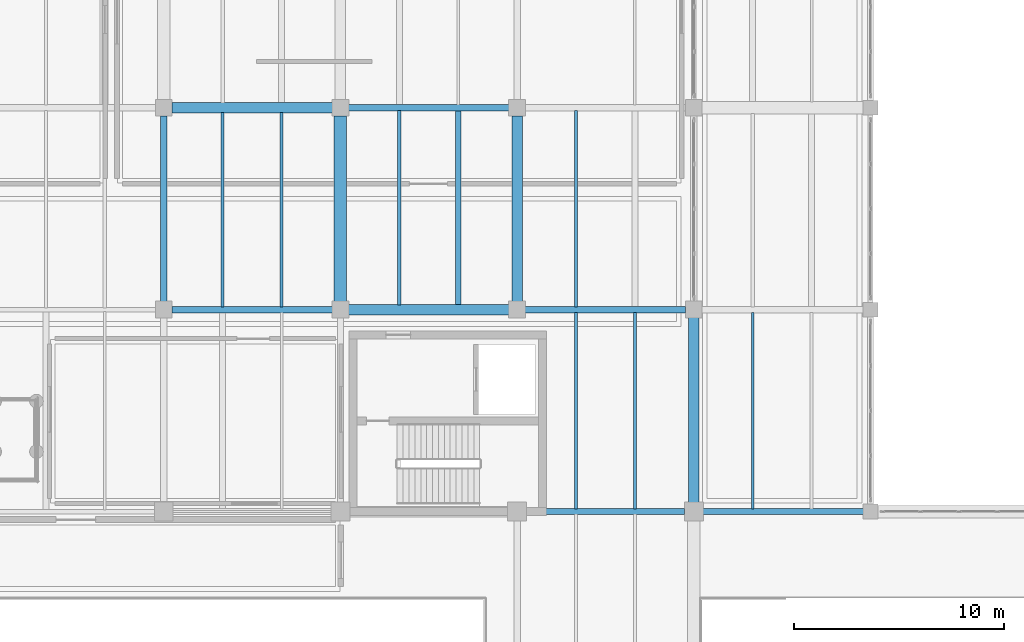
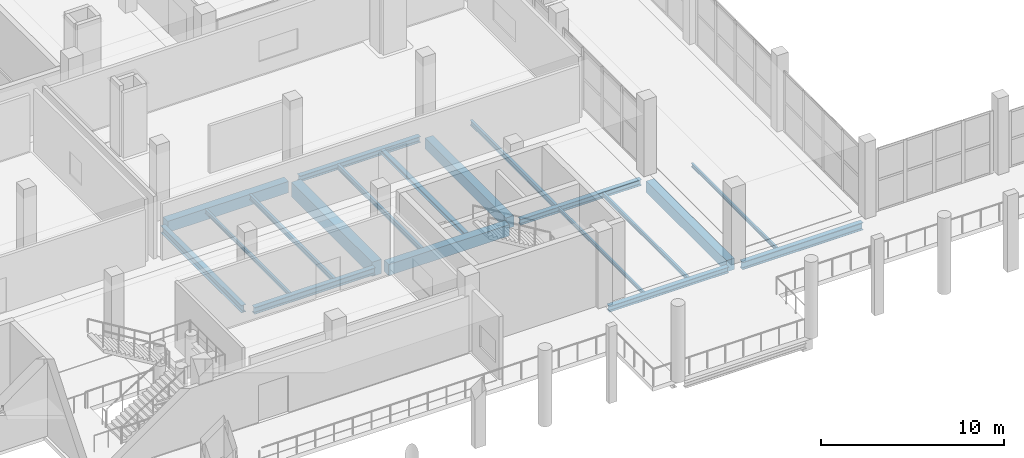
# One storey, part 3 of 66: 19 beams.
"""IFC4 building model written with IfcOpenShell, lengths in metres."""

from ifc_helpers import new_model, si_unit, direction, frame, origin, origin_2d, place, context, subcontext, project, spatial, rectangle, i_section, extrude, material, material_profile, profile_set, type_object, element, save


model = new_model("IFC4")

# Units and contexts
model_context = context("Model", 3, precision=1e-05, world=origin(), true_north=direction((0.0, 1.0)))
body_context = subcontext(model_context, "Body", "Model", "MODEL_VIEW")
ifc_project = project(units=[si_unit("LENGTHUNIT", "METRE"), si_unit("AREAUNIT", "SQUARE_METRE"), si_unit("VOLUMEUNIT", "CUBIC_METRE"), si_unit("PLANEANGLEUNIT", "RADIAN"), si_unit("MASSUNIT", "GRAM", prefix="KILO")], contexts=[model_context])

# Site, building, storey
site_placement = place(None, origin())
site = spatial("IfcSite", under=ifc_project, at=site_placement, CompositionType="ELEMENT")
building_placement = place(site_placement, origin())
building = spatial("IfcBuilding", under=site, at=building_placement, Name="Zulmaris Art Gallery", CompositionType="ELEMENT")
storey_placement = place(building_placement, frame((0.0, 0.0, 5.39990234375)))
storey = spatial("IfcBuildingStorey", under=building, at=storey_placement, Name="L01", CompositionType="ELEMENT", Elevation=5.39990234375)

# Beams
ifc_material_1 = material(Name="Steel S355J2", Category="steel")
ifc_material_profile_1 = material_profile(ifc_material_1, i_section(OverallWidth=0.300048828125, OverallDepth=0.389892578125, WebThickness=0.010986328125, FlangeThickness=0.01904296875, FilletRadius=0.027099609375, at=origin_2d()), Name="HEA 400")
ifc_profile_set_1 = profile_set([ifc_material_profile_1], Name="Steel S355J2")
beam_type_1 = type_object("IfcBeamType", Name="BEAM-BM09", PredefinedType="BEAM", material=ifc_profile_set_1)
beam_1_placement = place(storey_placement, frame((74.8349609375, 21.60009765625, -0.52490234375), z_axis=(1.0, 0.0, 0.0), x_axis=(0.0, 1.0, 0.0)))
element("IfcBeam", 1, at=beam_1_placement, inside=storey, type_object=beam_type_1, Name="L01 X-girder (74.4..82.8, y=21.6)", PredefinedType="BEAM", context=body_context, shape_type="SweptSolid", body=[
    extrude(i_section(OverallWidth=0.300048828125, OverallDepth=0.389892578125, WebThickness=0.010986328125, FlangeThickness=0.01904296875, FilletRadius=0.027099609375, at=origin_2d()), origin(), (0.0, 0.0, 1.0), 7.530029296875),
])
beam_2_placement = place(storey_placement, frame((74.784912109375, 31.199951171875, -0.52490234375), z_axis=(1.0, 0.0, 0.0), x_axis=(0.0, 1.0, 0.0)))
element("IfcBeam", 2, at=beam_2_placement, inside=storey, type_object=beam_type_1, Name="L01 X-girder (74.4..82.8, y=31.2)", PredefinedType="BEAM", context=body_context, shape_type="SweptSolid", body=[
    extrude(i_section(OverallWidth=0.300048828125, OverallDepth=0.389892578125, WebThickness=0.010986328125, FlangeThickness=0.01904296875, FilletRadius=0.027099609375, at=origin_2d()), origin(), (0.0, 0.0, 1.0), 7.630126953125),
])
beam_3_placement = place(storey_placement, frame((66.385009765625, 40.800048828125, -0.52490234375), z_axis=(1.0, 0.0, 0.0), x_axis=(0.0, 1.0, 0.0)))
element("IfcBeam", 3, at=beam_3_placement, inside=storey, type_object=beam_type_1, Name="L01 X-girder (66.0..74.4, y=40.8)", PredefinedType="BEAM", context=body_context, shape_type="SweptSolid", body=[
    extrude(i_section(OverallWidth=0.300048828125, OverallDepth=0.389892578125, WebThickness=0.010986328125, FlangeThickness=0.01904296875, FilletRadius=0.027099609375, at=origin_2d()), origin(), (0.0, 0.0, 1.0), 7.6298828125),
])
ifc_material_profile_2 = material_profile(ifc_material_1, i_section(OverallWidth=0.300048828125, OverallDepth=0.449951171875, WebThickness=0.013916015625, FlangeThickness=0.02587890625, FilletRadius=0.027099609375, at=origin_2d()), Name="HEB 450")
ifc_profile_set_2 = profile_set([ifc_material_profile_2], Name="Steel S355J2")
beam_type_2 = type_object("IfcBeamType", Name="BEAM-BM13", PredefinedType="BEAM", material=ifc_profile_set_2)
beam_4_placement = place(storey_placement, frame((57.985107421875, 31.199951171875, -0.554931640625), z_axis=(1.0, 0.0, 0.0), x_axis=(0.0, 1.0, 0.0)))
element("IfcBeam", 4, at=beam_4_placement, inside=storey, type_object=beam_type_2, Name="L01 X-girder (57.6..66.0, y=31.2)", PredefinedType="BEAM", context=body_context, shape_type="SweptSolid", body=[
    extrude(i_section(OverallWidth=0.300048828125, OverallDepth=0.449951171875, WebThickness=0.013916015625, FlangeThickness=0.02587890625, FilletRadius=0.027099609375, at=origin_2d()), origin(), (0.0, 0.0, 1.0), 7.6298828125),
])
ifc_material_profile_3 = material_profile(ifc_material_1, i_section(OverallWidth=0.300048828125, OverallDepth=0.5, WebThickness=0.014404296875, FlangeThickness=0.028076171875, FilletRadius=0.027099609375, at=origin_2d()), Name="HEB 500")
ifc_profile_set_3 = profile_set([ifc_material_profile_3], Name="Steel S355J2")
beam_type_3 = type_object("IfcBeamType", Name="BEAM-BM14", PredefinedType="BEAM", material=ifc_profile_set_3)
beam_5_placement = place(storey_placement, frame((83.235107421875, 21.60009765625, -0.579833984375), z_axis=(1.0, 0.0, 0.0), x_axis=(0.0, 1.0, 0.0)))
element("IfcBeam", 5, at=beam_5_placement, inside=storey, type_object=beam_type_3, Name="L01 X-girder (82.8..91.2, y=21.6)", PredefinedType="BEAM", context=body_context, shape_type="SweptSolid", body=[
    extrude(i_section(OverallWidth=0.300048828125, OverallDepth=0.5, WebThickness=0.014404296875, FlangeThickness=0.028076171875, FilletRadius=0.027099609375, at=origin_2d()), origin(), (0.0, 0.0, 1.0), 7.6298828125),
])
beam_6_placement = place(storey_placement, frame((57.60009765625, 31.5849609375, -0.579833984375), z_axis=(0.0, 1.0, 0.0), x_axis=(-1.0, 0.0, 0.0)))
element("IfcBeam", 6, at=beam_6_placement, inside=storey, type_object=beam_type_3, Name="L01 Y-girder (x=57.6, 31.2..40.8)", PredefinedType="BEAM", context=body_context, shape_type="SweptSolid", body=[
    extrude(i_section(OverallWidth=0.300048828125, OverallDepth=0.5, WebThickness=0.014404296875, FlangeThickness=0.028076171875, FilletRadius=0.027099609375, at=origin_2d()), origin(), (0.0, 0.0, 1.0), 8.830078125),
])
ifc_material_2 = material(Name="Concrete C40/50", Category="concrete")
ifc_material_profile_4 = material_profile(ifc_material_2, rectangle(XDim=0.5, YDim=0.75, at=origin_2d()), Name="RC 500x750")
ifc_profile_set_4 = profile_set([ifc_material_profile_4], Name="Concrete C40/50")
beam_type_4 = type_object("IfcBeamType", Name="BEAM-BM20", PredefinedType="BEAM", material=ifc_profile_set_4)
for number, where, z_axis, x_axis, name in (
    (7, (66.385009765625, 31.199951171875, -0.704833984375), (1.0, 0.0, 0.0), (0.0, 1.0, 0.0), "L01 X-girder (66.0..74.4, y=31.2)"),
    (8, (57.985107421875, 40.800048828125, -0.704833984375), (1.0, 0.0, 0.0), (0.0, 1.0, 0.0), "L01 X-girder (57.6..66.0, y=40.8)"),
):
    element("IfcBeam", number, at=place(storey_placement, frame(where, z_axis=z_axis, x_axis=x_axis)), inside=storey, type_object=beam_type_4, Name=name, PredefinedType="BEAM", context=body_context, shape_type="SweptSolid", body=[
        extrude(rectangle(XDim=0.5, YDim=0.75, at=origin_2d()), origin(), (0.0, 0.0, 1.0), 7.6298828125),
    ])
beam_7_placement = place(storey_placement, frame((74.39990234375, 31.5849609375, -0.704833984375), z_axis=(0.0, 1.0, 0.0), x_axis=(-1.0, 0.0, 0.0)))
element("IfcBeam", 9, at=beam_7_placement, inside=storey, type_object=beam_type_4, Name="L01 Y-girder (x=74.4, 31.2..40.8)", PredefinedType="BEAM", context=body_context, shape_type="SweptSolid", body=[
    extrude(rectangle(XDim=0.5, YDim=0.75, at=origin_2d()), origin(), (0.0, 0.0, 1.0), 8.830078125),
])
beam_8_placement = place(storey_placement, frame((82.800048828125, 22.034912109375, -0.704833984375), z_axis=(0.0, 1.0, 0.0), x_axis=(-1.0, 0.0, 0.0)))
element("IfcBeam", 10, at=beam_8_placement, inside=storey, type_object=beam_type_4, Name="L01 Y-girder (x=82.8, 21.6..31.2)", PredefinedType="BEAM", context=body_context, shape_type="SweptSolid", body=[
    extrude(rectangle(XDim=0.5, YDim=0.75, at=origin_2d()), origin(), (0.0, 0.0, 1.0), 8.780029296875),
])
ifc_material_profile_5 = material_profile(ifc_material_2, rectangle(XDim=0.60009765625, YDim=0.949951171875, at=origin_2d()), Name="RC 600x950")
ifc_profile_set_5 = profile_set([ifc_material_profile_5], Name="Concrete C40/50")
beam_type_5 = type_object("IfcBeamType", Name="BEAM-BM22", PredefinedType="BEAM", material=ifc_profile_set_5)
beam_9_placement = place(storey_placement, frame((66.0, 31.5849609375, -0.804931640625), z_axis=(0.0, 1.0, 0.0), x_axis=(-1.0, 0.0, 0.0)))
element("IfcBeam", 11, at=beam_9_placement, inside=storey, type_object=beam_type_5, Name="L01 Y-girder (x=66.0, 31.2..40.8)", PredefinedType="BEAM", context=body_context, shape_type="SweptSolid", body=[
    extrude(rectangle(XDim=0.60009765625, YDim=0.949951171875, at=origin_2d()), origin(), (0.0, 0.0, 1.0), 8.830078125),
])
ifc_material_profile_6 = material_profile(ifc_material_1, i_section(OverallWidth=0.1201171875, OverallDepth=0.239990234375, WebThickness=0.006103515625, FlangeThickness=0.009765625, FilletRadius=0.014892578125, at=origin_2d()), Name="IPE 240")
ifc_profile_set_6 = profile_set([ifc_material_profile_6], Name="Steel S355J2")
beam_type_6 = type_object("IfcBeamType", Name="BEAM-JS01", PredefinedType="JOIST", material=ifc_profile_set_6)
for number, where, z_axis, x_axis, name in (
    (12, (77.199951171875, 21.72509765625, -0.449951171875), (0.0, 1.0, 0.0), (-1.0, 0.0, 0.0), "L01 secondary joist at x=77.2"),
    (13, (85.60009765625, 21.72509765625, -0.449951171875), (0.0, 1.0, 0.0), (-1.0, 0.0, 0.0), "L01 secondary joist at x=85.6"),
):
    element("IfcBeam", number, at=place(storey_placement, frame(where, z_axis=z_axis, x_axis=x_axis)), inside=storey, type_object=beam_type_6, Name=name, PredefinedType="JOIST", context=body_context, shape_type="SweptSolid", body=[
        extrude(i_section(OverallWidth=0.1201171875, OverallDepth=0.239990234375, WebThickness=0.006103515625, FlangeThickness=0.009765625, FilletRadius=0.014892578125, at=origin_2d()), origin(), (0.0, 0.0, 1.0), 9.349853515625),
    ])
ifc_material_profile_7 = material_profile(ifc_material_1, i_section(OverallWidth=0.135009765625, OverallDepth=0.27001953125, WebThickness=0.006591796875, FlangeThickness=0.01025390625, FilletRadius=0.014892578125, at=origin_2d()), Name="IPE 270")
ifc_profile_set_7 = profile_set([ifc_material_profile_7], Name="Steel S355J2")
beam_type_7 = type_object("IfcBeamType", Name="BEAM-JS02", PredefinedType="JOIST", material=ifc_profile_set_7)
beam_10_placement = place(storey_placement, frame((60.39990234375, 31.324951171875, -0.46484375), z_axis=(0.0, 1.0, 0.0), x_axis=(-1.0, 0.0, 0.0)))
element("IfcBeam", 14, at=beam_10_placement, inside=storey, type_object=beam_type_7, Name="L01 secondary joist at x=60.4", PredefinedType="JOIST", context=body_context, shape_type="SweptSolid", body=[
    extrude(i_section(OverallWidth=0.135009765625, OverallDepth=0.27001953125, WebThickness=0.006591796875, FlangeThickness=0.01025390625, FilletRadius=0.014892578125, at=origin_2d()), origin(), (0.0, 0.0, 1.0), 9.25),
])
beam_11_placement = place(storey_placement, frame((80.0, 21.72509765625, -0.46484375), z_axis=(0.0, 1.0, 0.0), x_axis=(-1.0, 0.0, 0.0)))
element("IfcBeam", 15, at=beam_11_placement, inside=storey, type_object=beam_type_7, Name="L01 secondary joist at x=80.0", PredefinedType="JOIST", context=body_context, shape_type="SweptSolid", body=[
    extrude(i_section(OverallWidth=0.135009765625, OverallDepth=0.27001953125, WebThickness=0.006591796875, FlangeThickness=0.01025390625, FilletRadius=0.014892578125, at=origin_2d()), origin(), (0.0, 0.0, 1.0), 9.349853515625),
])
ifc_material_profile_8 = material_profile(ifc_material_1, i_section(OverallWidth=0.159912109375, OverallDepth=0.330078125, WebThickness=0.007568359375, FlangeThickness=0.011474609375, FilletRadius=0.01806640625, at=origin_2d()), Name="IPE 330")
ifc_profile_set_8 = profile_set([ifc_material_profile_8], Name="Steel S355J2")
beam_type_8 = type_object("IfcBeamType", Name="BEAM-JS03", PredefinedType="JOIST", material=ifc_profile_set_8)
for number, where, z_axis, x_axis, name in (
    (16, (63.199951171875, 31.324951171875, -0.494873046875), (0.0, 1.0, 0.0), (-1.0, 0.0, 0.0), "L01 secondary joist at x=63.2"),
    (17, (68.800048828125, 31.425048828125, -0.494873046875), (0.0, 1.0, 0.0), (-1.0, 0.0, 0.0), "L01 secondary joist at x=68.8"),
):
    element("IfcBeam", number, at=place(storey_placement, frame(where, z_axis=z_axis, x_axis=x_axis)), inside=storey, type_object=beam_type_8, Name=name, PredefinedType="JOIST", context=body_context, shape_type="SweptSolid", body=[
        extrude(i_section(OverallWidth=0.159912109375, OverallDepth=0.330078125, WebThickness=0.007568359375, FlangeThickness=0.011474609375, FilletRadius=0.01806640625, at=origin_2d()), origin(), (0.0, 0.0, 1.0), 9.25),
    ])
beam_12_placement = place(storey_placement, frame((77.199951171875, 31.324951171875, -0.494873046875), z_axis=(0.0, 1.0, 0.0), x_axis=(-1.0, 0.0, 0.0)))
element("IfcBeam", 18, at=beam_12_placement, inside=storey, type_object=beam_type_8, Name="L01 secondary joist at x=77.2", PredefinedType="JOIST", context=body_context, shape_type="SweptSolid", body=[
    extrude(i_section(OverallWidth=0.159912109375, OverallDepth=0.330078125, WebThickness=0.007568359375, FlangeThickness=0.011474609375, FilletRadius=0.01806640625, at=origin_2d()), origin(), (0.0, 0.0, 1.0), 9.35009765625),
])
ifc_material_profile_9 = material_profile(ifc_material_1, i_section(OverallWidth=0.280029296875, OverallDepth=0.27001953125, WebThickness=0.008056640625, FlangeThickness=0.012939453125, FilletRadius=0.02392578125, at=origin_2d()), Name="HEA 280")
ifc_profile_set_9 = profile_set([ifc_material_profile_9], Name="Steel S355J2")
beam_type_9 = type_object("IfcBeamType", Name="BEAM-JS04", PredefinedType="JOIST", material=ifc_profile_set_9)
beam_13_placement = place(storey_placement, frame((71.60009765625, 31.425048828125, -0.46484375), z_axis=(0.0, 1.0, 0.0), x_axis=(-1.0, 0.0, 0.0)))
element("IfcBeam", 19, at=beam_13_placement, inside=storey, type_object=beam_type_9, Name="L01 secondary joist at x=71.6", PredefinedType="JOIST", context=body_context, shape_type="SweptSolid", body=[
    extrude(i_section(OverallWidth=0.280029296875, OverallDepth=0.27001953125, WebThickness=0.008056640625, FlangeThickness=0.012939453125, FilletRadius=0.02392578125, at=origin_2d()), origin(), (0.0, 0.0, 1.0), 9.25),
])

save(model, "model.ifc")
